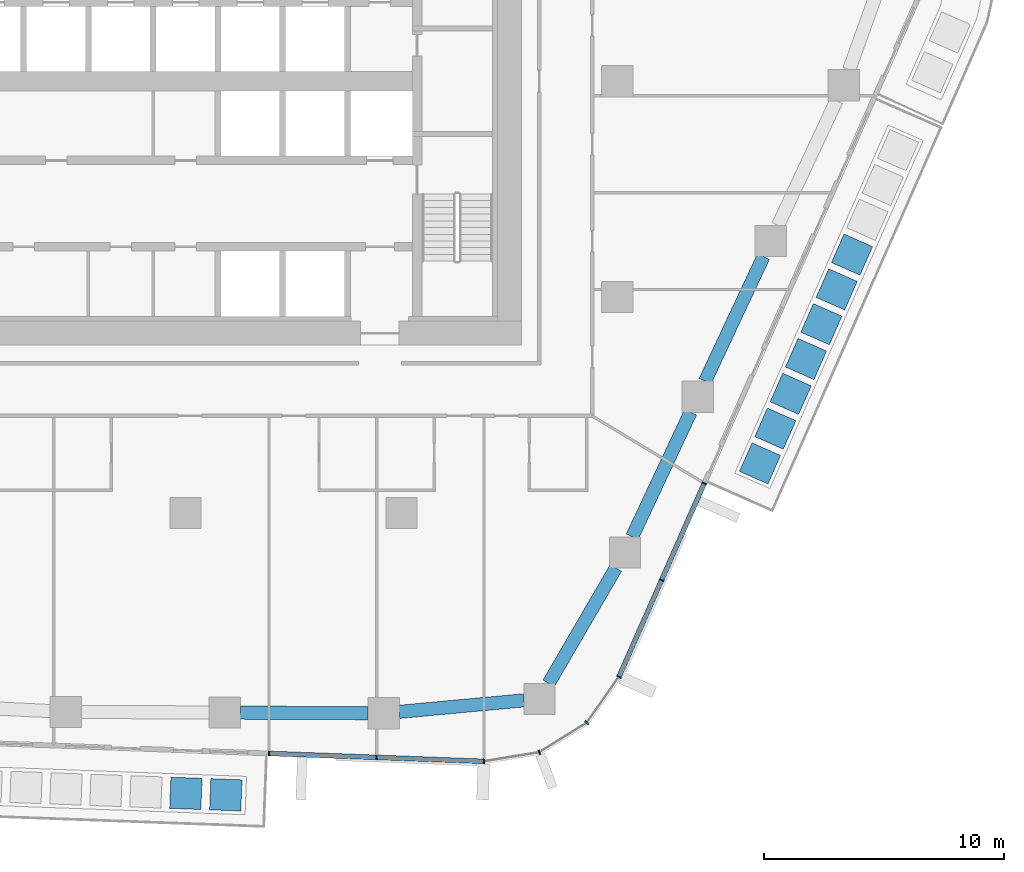
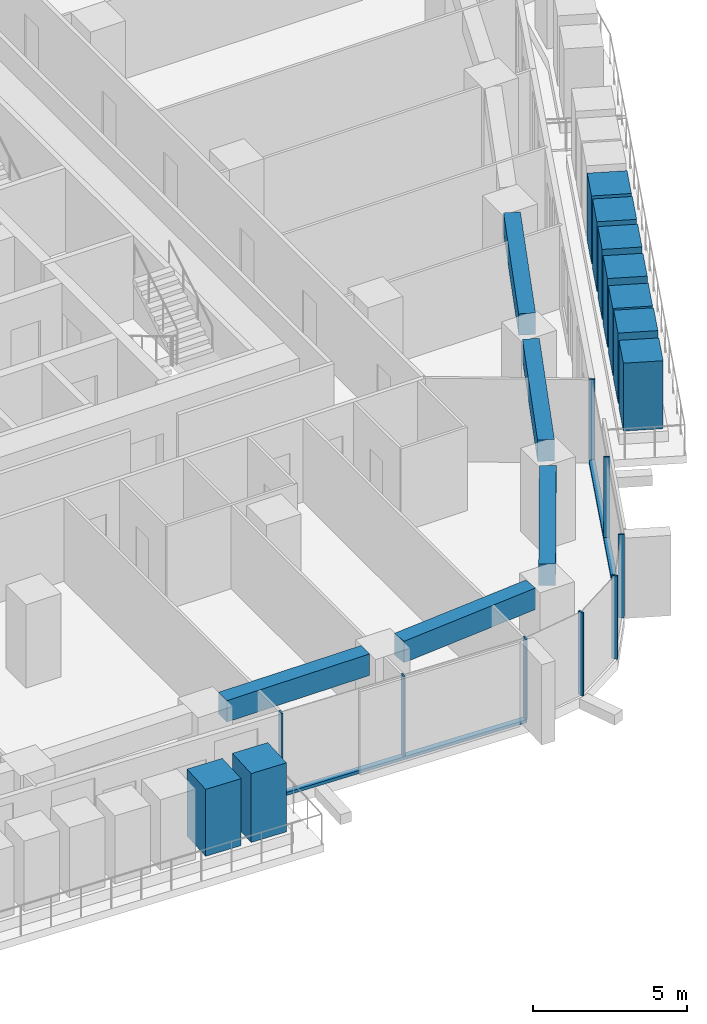
# One storey, part 4 of 24: 19 members, 5 beams, 3 elements without a shape of their own.
"""IFC4 building model written with IfcOpenShell, lengths in metres."""

from ifc_helpers import new_model, si_unit, direction, frame, origin, origin_2d, place, context, subcontext, project, spatial, rectangle, extrude, material, layer, layer_set, material_profile, profile_set, type_object, element, aggregate, save


model = new_model("IFC4")

# Units and contexts
model_context = context("Model", 3, precision=1e-05, world=origin(), true_north=direction((0.0, 1.0)))
body_context = subcontext(model_context, "Body", "Model", "MODEL_VIEW")
ifc_project = project(units=[si_unit("LENGTHUNIT", "METRE"), si_unit("AREAUNIT", "SQUARE_METRE"), si_unit("VOLUMEUNIT", "CUBIC_METRE"), si_unit("PLANEANGLEUNIT", "RADIAN"), si_unit("MASSUNIT", "GRAM", prefix="KILO")], contexts=[model_context])

# Site, building, storey
site_placement = place(None, origin())
site = spatial("IfcSite", under=ifc_project, at=site_placement, CompositionType="ELEMENT")
building_placement = place(site_placement, origin())
building = spatial("IfcBuilding", under=site, at=building_placement, Name="Dongbaek Canopy Tower", CompositionType="ELEMENT")
storey_placement = place(building_placement, frame((0.0, 0.0, 110.0)))
storey = spatial("IfcBuildingStorey", under=building, at=storey_placement, Name="L23", CompositionType="ELEMENT", Elevation=110.0)

# Curtain wall, members
ifc_material_1 = material(Name="Aluminium 6063-T6 pale anodised", Category="aluminium")
ifc_layer = layer(ifc_material_1, 0.199951171875)
ifc_layer_set = layer_set([ifc_layer], Name="CW-1 unitised tower curtain wall")
curtain_wall_type = type_object("IfcCurtainWallType", Name="CW-1 unitised tower curtain wall", PredefinedType="NOTDEFINED", material=ifc_layer_set)
curtain_wall_1_placement = place(storey_placement, origin())
curtain_wall_1 = element("IfcCurtainWall", 1, at=curtain_wall_1_placement, inside=storey, type_object=curtain_wall_type, Name="CW-1 curtain wall F4.1", PredefinedType="NOTDEFINED")
ifc_material_2 = material(Name="Aluminium 6063-T6 pale anodised", Category="aluminium")
ifc_material_profile_1 = material_profile(ifc_material_2, rectangle(XDim=0.199951171875, YDim=0.06005859375, at=origin_2d()), Name="CW-1 mullion 60 x 200")
ifc_profile_set_1 = profile_set([ifc_material_profile_1], Name="Aluminium 6063-T6 pale anodised")
member_type_1 = type_object("IfcMemberType", Name="CW-1 mullion 60 x 200", PredefinedType="MULLION", material=ifc_profile_set_1)
member_1_placement = place(storey_placement, frame((3.475830078125, -28.024169921875, 0.1201171875), z_axis=(0.0, 0.0, 1.0), x_axis=(-0.036872652499, -0.99931997253, 0.0)))
member_1 = element("IfcMember", 2, at=member_1_placement, type_object=member_type_1, Name="CW-1 mullion F4.1.1", PredefinedType="MULLION", context=body_context, shape_type="SweptSolid", body=[
    extrude(rectangle(XDim=0.199951171875, YDim=0.06005859375, at=origin_2d()), origin(), (0.0, 0.0, 1.0), 3.179931640625),
])
member_2_placement = place(storey_placement, frame((7.962646484375, -28.189697265625, 0.1201171875), z_axis=(0.0, 0.0, 1.0), x_axis=(-0.036872652499, -0.99931997253, 0.0)))
member_2 = element("IfcMember", 3, at=member_2_placement, type_object=member_type_1, Name="CW-1 mullion F4.1.2", PredefinedType="MULLION", context=body_context, shape_type="SweptSolid", body=[
    extrude(rectangle(XDim=0.199951171875, YDim=0.06005859375, at=origin_2d()), origin(), (0.0, 0.0, 1.0), 3.179931640625),
])
member_3_placement = place(storey_placement, frame((12.439453125, -28.354736328125, 0.1201171875), z_axis=(0.0, 0.0, 1.0), x_axis=(-0.036872652499, -0.99931997253, 0.0)))
member_3 = element("IfcMember", 4, at=member_3_placement, type_object=member_type_1, Name="CW-1 mullion F4.1.3", PredefinedType="MULLION", context=body_context, shape_type="SweptSolid", body=[
    extrude(rectangle(XDim=0.199951171875, YDim=0.06005859375, at=origin_2d()), origin(), (0.0, 0.0, 1.0), 3.179931640625),
])

curtain_wall_2_placement = place(storey_placement, origin())
curtain_wall_2 = element("IfcCurtainWall", 5, at=curtain_wall_2_placement, inside=storey, type_object=curtain_wall_type, Name="CW-1 curtain wall K5.1", PredefinedType="NOTDEFINED")
member_4_placement = place(storey_placement, frame((14.748291015625, -27.977783203125, 0.0), z_axis=(0.0, 0.0, 1.0), x_axis=(0.352875095739, -0.93567043707, 0.0)))
member_4 = element("IfcMember", 6, at=member_4_placement, type_object=member_type_1, Name="CW-1 mullion K5.1.2", PredefinedType="MULLION", context=body_context, shape_type="SweptSolid", body=[
    extrude(rectangle(XDim=0.199951171875, YDim=0.06005859375, at=origin_2d()), origin(), (0.0, 0.0, 1.0), 3.300048828125),
])
member_5_placement = place(storey_placement, frame((16.722412109375, -26.74169921875, 0.0), z_axis=(0.0, 0.0, 1.0), x_axis=(0.687590359938, -0.726098820355, 0.0)))
member_5 = element("IfcMember", 7, at=member_5_placement, type_object=member_type_1, Name="CW-1 mullion K5.1.3", PredefinedType="MULLION", context=body_context, shape_type="SweptSolid", body=[
    extrude(rectangle(XDim=0.199951171875, YDim=0.06005859375, at=origin_2d()), origin(), (0.0, 0.0, 1.0), 3.300048828125),
])
member_6_placement = place(storey_placement, frame((18.070068359375, -24.829345703125, 0.0), z_axis=(0.0, 0.0, 1.0), x_axis=(0.817425136867, -0.576034847572, 0.0)))
member_6 = element("IfcMember", 8, at=member_6_placement, type_object=member_type_1, Name="CW-1 mullion K5.1.4", PredefinedType="MULLION", context=body_context, shape_type="SweptSolid", body=[
    extrude(rectangle(XDim=0.199951171875, YDim=0.06005859375, at=origin_2d()), origin(), (0.0, 0.0, 1.0), 3.300048828125),
])
aggregate(curtain_wall_2, [member_4, member_5, member_6])

curtain_wall_3_placement = place(storey_placement, origin())
curtain_wall_3 = element("IfcCurtainWall", 9, at=curtain_wall_3_placement, inside=storey, type_object=curtain_wall_type, Name="CW-1 curtain wall F5.1", PredefinedType="NOTDEFINED")
member_7_placement = place(storey_placement, frame((19.84619140625, -20.799072265625, 0.1201171875), z_axis=(0.0, 0.0, 1.0), x_axis=(0.915072764797, -0.403288773867, 0.0)))
member_7 = element("IfcMember", 10, at=member_7_placement, type_object=member_type_1, Name="CW-1 mullion F5.1.2", PredefinedType="MULLION", context=body_context, shape_type="SweptSolid", body=[
    extrude(rectangle(XDim=0.199951171875, YDim=0.06005859375, at=origin_2d()), origin(), (0.0, 0.0, 1.0), 3.179931640625),
])
member_8_placement = place(storey_placement, frame((21.62646484375, -16.759765625, 0.1201171875), z_axis=(0.0, 0.0, 1.0), x_axis=(0.915072764797, -0.403288773867, 0.0)))
member_8 = element("IfcMember", 11, at=member_8_placement, type_object=member_type_1, Name="CW-1 mullion F5.1.3", PredefinedType="MULLION", context=body_context, shape_type="SweptSolid", body=[
    extrude(rectangle(XDim=0.199951171875, YDim=0.06005859375, at=origin_2d()), origin(), (0.0, 0.0, 1.0), 3.179931640625),
])

# Member
ifc_material_3 = material(Name="Aluminium 6063-T6 pale anodised", Category="aluminium")
ifc_material_profile_2 = material_profile(ifc_material_3, rectangle(XDim=0.199951171875, YDim=0.1201171875, at=origin_2d()), Name="CW-1 transom 120 x 200")
ifc_profile_set_2 = profile_set([ifc_material_profile_2], Name="Aluminium 6063-T6 pale anodised")
member_type_2 = type_object("IfcMemberType", Name="CW-1 transom 120 x 200", PredefinedType="USERDEFINED", material=ifc_profile_set_2)
member_9_placement = place(storey_placement, frame((3.475830078125, -28.024169921875, 0.06005859375), z_axis=(0.999320675071, -0.036853607355, 0.0), x_axis=(0.036853607355, 0.999320675071, 0.0)))
member_9 = element("IfcMember", 12, at=member_9_placement, type_object=member_type_2, Name="CW-1 transom F4.1.1", ObjectType="TRANSOM", PredefinedType="USERDEFINED", context=body_context, shape_type="SweptSolid", body=[
    extrude(rectangle(XDim=0.199951171875, YDim=0.1201171875, at=origin_2d()), origin(), (0.0, 0.0, 1.0), 8.9697265625),
])

aggregate(curtain_wall_1, [member_1, member_2, member_3, member_9])

member_10_placement = place(storey_placement, frame((18.070068359375, -24.829345703125, 0.06005859375), z_axis=(0.403287788943, 0.91507319887, 0.0), x_axis=(-0.91507319887, 0.403287788943, 0.0)))
member_10 = element("IfcMember", 13, at=member_10_placement, type_object=member_type_2, Name="CW-1 transom F5.1.1", ObjectType="TRANSOM", PredefinedType="USERDEFINED", context=body_context, shape_type="SweptSolid", body=[
    extrude(rectangle(XDim=0.199951171875, YDim=0.1201171875, at=origin_2d()), origin(), (0.0, 0.0, 1.0), 8.818603515625),
])

aggregate(curtain_wall_3, [member_7, member_8, member_10])

# Beams
ifc_material_4 = material(Name="Concrete C80", Category="concrete")
ifc_material_profile_3 = material_profile(ifc_material_4, rectangle(XDim=0.550048828125, YDim=0.85009765625, at=origin_2d()), Name="RC EDGE BEAM 550x850 C80")
ifc_profile_set_3 = profile_set([ifc_material_profile_3], Name="Concrete C80")
beam_type = type_object("IfcBeamType", Name="RC EDGE BEAM 550x850 C80", PredefinedType="BEAM", material=ifc_profile_set_3)
beam_1_placement = place(storey_placement, frame((14.110107421875, -25.80908203125, 2.875), z_axis=(-0.995770494827, -0.091875576911, 0.0), x_axis=(0.091875576911, -0.995770494827, 0.0)))
element("IfcBeam", 14, at=beam_1_placement, inside=storey, type_object=beam_type, Name="EDGEBEAM:L23:00", PredefinedType="BEAM", context=body_context, shape_type="SweptSolid", body=[
    extrude(rectangle(XDim=0.550048828125, YDim=0.85009765625, at=origin_2d()), origin(), (0.0, 0.0, 1.0), 5.224365234375),
])
beam_2_placement = place(storey_placement, frame((7.60791015625, -26.34619140625, 2.875), z_axis=(-0.999989714022, 0.004535620181, 0.0), x_axis=(-0.004535620181, -0.999989714022, 0.0)))
element("IfcBeam", 15, at=beam_2_placement, inside=storey, type_object=beam_type, Name="EDGEBEAM:L23:01", PredefinedType="BEAM", context=body_context, shape_type="SweptSolid", body=[
    extrude(rectangle(XDim=0.550048828125, YDim=0.85009765625, at=origin_2d()), origin(), (0.0, 0.0, 1.0), 5.328857421875),
])
beam_3_placement = place(storey_placement, frame((24.091796875, -7.306884765625, 2.875), z_axis=(-0.424022586017, -0.905651614335, 0.0), x_axis=(0.905651614335, -0.424022586017, 0.0)))
element("IfcBeam", 16, at=beam_3_placement, inside=storey, type_object=beam_type, Name="EDGEBEAM:L23:23", PredefinedType="BEAM", context=body_context, shape_type="SweptSolid", body=[
    extrude(rectangle(XDim=0.550048828125, YDim=0.85009765625, at=origin_2d()), origin(), (0.0, 0.0, 1.0), 5.734130859375),
])
beam_4_placement = place(storey_placement, frame((21.051513671875, -13.800048828125, 2.875), z_axis=(-0.424209119096, -0.905564256845, 0.0), x_axis=(0.905564256845, -0.424209119096, 0.0)))
element("IfcBeam", 17, at=beam_4_placement, inside=storey, type_object=beam_type, Name="EDGEBEAM:L23:24", PredefinedType="BEAM", context=body_context, shape_type="SweptSolid", body=[
    extrude(rectangle(XDim=0.550048828125, YDim=0.85009765625, at=origin_2d()), origin(), (0.0, 0.0, 1.0), 5.7333984375),
])
beam_5_placement = place(storey_placement, frame((17.9365234375, -20.2919921875, 2.875), z_axis=(-0.503057531083, -0.864252926186, 0.0), x_axis=(0.864252926186, -0.503057531083, 0.0)))
element("IfcBeam", 18, at=beam_5_placement, inside=storey, type_object=beam_type, Name="EDGEBEAM:L23:25", PredefinedType="BEAM", context=body_context, shape_type="SweptSolid", body=[
    extrude(rectangle(XDim=0.550048828125, YDim=0.85009765625, at=origin_2d()), origin(), (0.0, 0.0, 1.0), 5.562255859375),
])

# Members
ifc_material_5 = material(Name="Concrete C40/50 planter mass with planting", Category="concrete")
ifc_material_profile_4 = material_profile(ifc_material_5, rectangle(XDim=1.300048828125, YDim=1.300048828125, at=origin_2d()), Name="Terrace PLANTER shrub mass 1300 x 1300")
ifc_profile_set_4 = profile_set([ifc_material_profile_4], Name="Concrete C40/50 planter mass with planting")
member_type_3 = type_object("IfcMemberType", Name="Terrace PLANTER shrub mass 1300 x 1300", PredefinedType="USERDEFINED", material=ifc_profile_set_4)
member_11_placement = place(storey_placement, frame((0.01171875, -29.6875, 0.419921875), z_axis=(0.0, 0.0, 1.0), x_axis=(-0.036872652499, -0.99931997253, 0.0)))
element("IfcMember", 19, at=member_11_placement, inside=storey, type_object=member_type_3, Name="Planter shrubs L23 4.6", ObjectType="PLANTER", PredefinedType="USERDEFINED", context=body_context, shape_type="SweptSolid", body=[
    extrude(rectangle(XDim=1.300048828125, YDim=1.300048828125, at=origin_2d()), origin(), (0.0, 0.0, 1.0), 2.650146484375),
])
member_12_placement = place(storey_placement, frame((1.677490234375, -29.7490234375, 0.419921875), z_axis=(0.0, 0.0, 1.0), x_axis=(-0.036872652499, -0.99931997253, 0.0)))
element("IfcMember", 20, at=member_12_placement, inside=storey, type_object=member_type_3, Name="Planter shrubs L23 4.7", ObjectType="PLANTER", PredefinedType="USERDEFINED", context=body_context, shape_type="SweptSolid", body=[
    extrude(rectangle(XDim=1.300048828125, YDim=1.300048828125, at=origin_2d()), origin(), (0.0, 0.0, 1.0), 2.72998046875),
])
member_13_placement = place(storey_placement, frame((23.947265625, -15.932373046875, 0.419921875), z_axis=(0.0, 0.0, 1.0), x_axis=(0.915072764797, -0.403288773867, 0.0)))
element("IfcMember", 21, at=member_13_placement, inside=storey, type_object=member_type_3, Name="Planter shrubs L23 5.1", ObjectType="PLANTER", PredefinedType="USERDEFINED", context=body_context, shape_type="SweptSolid", body=[
    extrude(rectangle(XDim=1.300048828125, YDim=1.300048828125, at=origin_2d()), origin(), (0.0, 0.0, 1.0), 2.690185546875),
])
member_14_placement = place(storey_placement, frame((24.586669921875, -14.4814453125, 0.419921875), z_axis=(0.0, 0.0, 1.0), x_axis=(0.915072764797, -0.403288773867, 0.0)))
element("IfcMember", 22, at=member_14_placement, inside=storey, type_object=member_type_3, Name="Planter shrubs L23 5.2", ObjectType="PLANTER", PredefinedType="USERDEFINED", context=body_context, shape_type="SweptSolid", body=[
    extrude(rectangle(XDim=1.300048828125, YDim=1.300048828125, at=origin_2d()), origin(), (0.0, 0.0, 1.0), 2.780029296875),
])
member_15_placement = place(storey_placement, frame((25.226318359375, -13.0302734375, 0.419921875), z_axis=(0.0, 0.0, 1.0), x_axis=(0.915072764797, -0.403288773867, 0.0)))
element("IfcMember", 23, at=member_15_placement, inside=storey, type_object=member_type_3, Name="Planter shrubs L23 5.3", ObjectType="PLANTER", PredefinedType="USERDEFINED", context=body_context, shape_type="SweptSolid", body=[
    extrude(rectangle(XDim=1.300048828125, YDim=1.300048828125, at=origin_2d()), origin(), (0.0, 0.0, 1.0), 2.650146484375),
])
member_16_placement = place(storey_placement, frame((25.86572265625, -11.579345703125, 0.419921875), z_axis=(0.0, 0.0, 1.0), x_axis=(0.915072764797, -0.403288773867, 0.0)))
element("IfcMember", 24, at=member_16_placement, inside=storey, type_object=member_type_3, Name="Planter shrubs L23 5.4", ObjectType="PLANTER", PredefinedType="USERDEFINED", context=body_context, shape_type="SweptSolid", body=[
    extrude(rectangle(XDim=1.300048828125, YDim=1.300048828125, at=origin_2d()), origin(), (0.0, 0.0, 1.0), 2.72998046875),
])
member_17_placement = place(storey_placement, frame((26.505126953125, -10.128173828125, 0.419921875), z_axis=(0.0, 0.0, 1.0), x_axis=(0.915072764797, -0.403288773867, 0.0)))
element("IfcMember", 25, at=member_17_placement, inside=storey, type_object=member_type_3, Name="Planter shrubs L23 5.5", ObjectType="PLANTER", PredefinedType="USERDEFINED", context=body_context, shape_type="SweptSolid", body=[
    extrude(rectangle(XDim=1.300048828125, YDim=1.300048828125, at=origin_2d()), origin(), (0.0, 0.0, 1.0), 2.780029296875),
])
member_18_placement = place(storey_placement, frame((27.144775390625, -8.67724609375, 0.419921875), z_axis=(0.0, 0.0, 1.0), x_axis=(0.915072764797, -0.403288773867, 0.0)))
element("IfcMember", 26, at=member_18_placement, inside=storey, type_object=member_type_3, Name="Planter shrubs L23 5.6", ObjectType="PLANTER", PredefinedType="USERDEFINED", context=body_context, shape_type="SweptSolid", body=[
    extrude(rectangle(XDim=1.300048828125, YDim=1.300048828125, at=origin_2d()), origin(), (0.0, 0.0, 1.0), 2.77001953125),
])
member_19_placement = place(storey_placement, frame((27.7841796875, -7.22607421875, 0.419921875), z_axis=(0.0, 0.0, 1.0), x_axis=(0.915072764797, -0.403288773867, 0.0)))
element("IfcMember", 27, at=member_19_placement, inside=storey, type_object=member_type_3, Name="Planter shrubs L23 5.7", ObjectType="PLANTER", PredefinedType="USERDEFINED", context=body_context, shape_type="SweptSolid", body=[
    extrude(rectangle(XDim=1.300048828125, YDim=1.300048828125, at=origin_2d()), origin(), (0.0, 0.0, 1.0), 2.690185546875),
])

save(model, "model.ifc")
